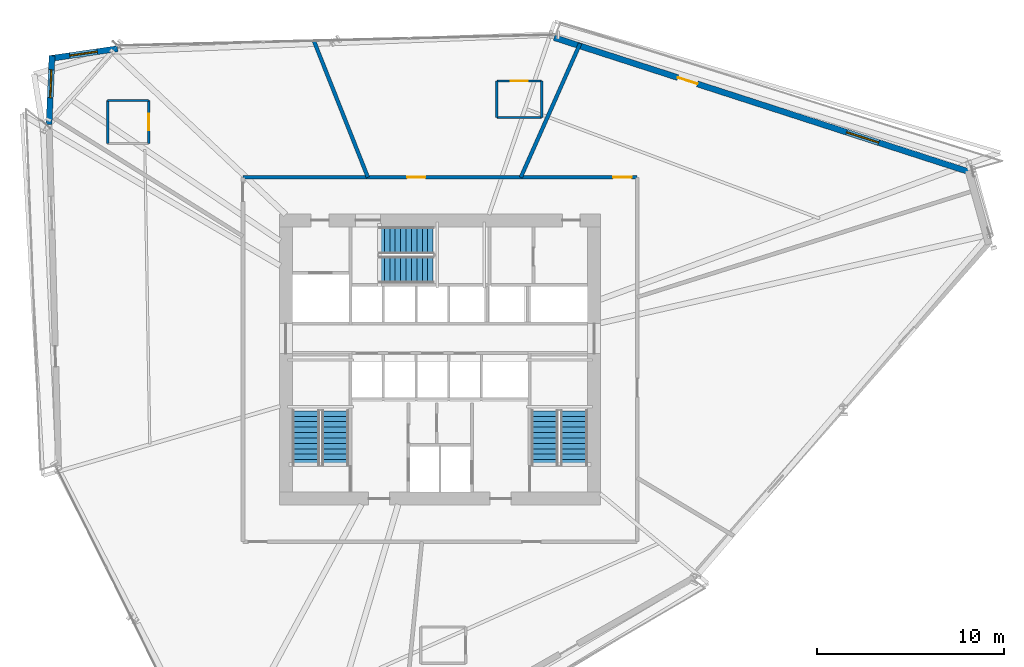
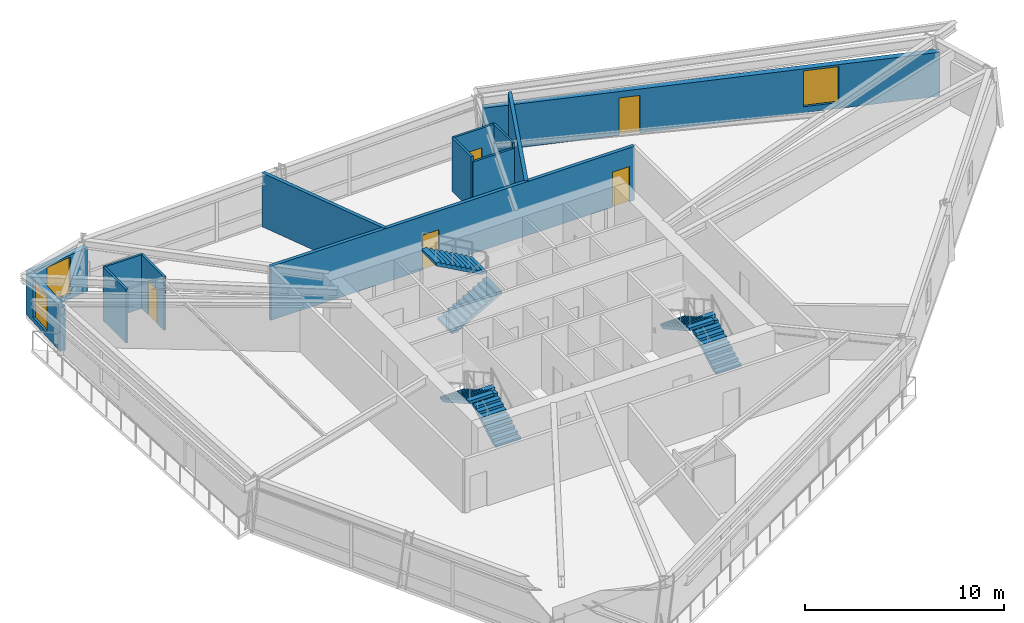
# One storey, part 16 of 20: 13 walls, 6 stair flights, 5 doors, 3 windows, 8 openings, 3 elements without a shape of their own.
"""IFC4 building model written with IfcOpenShell, lengths in metres."""

from ifc_helpers import new_model, si_unit, direction, frame, frame_2d, origin, place, context, subcontext, project, spatial, polyline, rectangle, outline, extrude, source, transform, mapped, material, layer, layer_set, type_object, type_shapes, element, fill, aggregate, save


model = new_model("IFC4")

# Units and contexts
model_context = context("Model", 3, precision=1e-05, world=origin(), true_north=direction((0.0, 1.0)))
body_context = subcontext(model_context, "Body", "Model", "MODEL_VIEW")
ifc_project = project(units=[si_unit("LENGTHUNIT", "METRE"), si_unit("AREAUNIT", "SQUARE_METRE"), si_unit("VOLUMEUNIT", "CUBIC_METRE"), si_unit("PLANEANGLEUNIT", "RADIAN"), si_unit("MASSUNIT", "GRAM", prefix="KILO")], contexts=[model_context])

# Site, building, storey
site_placement = place(None, origin())
site = spatial("IfcSite", under=ifc_project, at=site_placement, CompositionType="ELEMENT")
building_placement = place(site_placement, origin())
building = spatial("IfcBuilding", under=site, at=building_placement, Name="Olszyna Solenne Hotel", CompositionType="ELEMENT")
storey_placement = place(building_placement, frame((0.0, 0.0, 98.60009765625)))
storey = spatial("IfcBuildingStorey", under=building, at=storey_placement, Name="L25", CompositionType="ELEMENT", Elevation=98.60009765625)

# Wall, opening, window
ifc_material_1 = material(Name="Precast concrete C45/55", Category="concrete")
ifc_layer_1 = layer(ifc_material_1, 0.320068359375, Name="Precast concrete C45/55")
ifc_layer_set_1 = layer_set([ifc_layer_1], Name="Precast concrete C45/55")
wall_type_1 = type_object("IfcWallType", Name="WL-EX320", PredefinedType="SOLIDWALL", material=ifc_layer_set_1)
wall_1_placement = place(storey_placement, frame((17.07421875, 39.17626953125, 0.0), z_axis=(0.0, 0.0, 1.0), x_axis=(0.043135301437, 0.999069239728, 0.0)))
wall_1 = element("IfcWall", 1, at=wall_1_placement, inside=storey, type_object=wall_type_1, Name="Exterior terracotta-precast frame wall WL-EX320 EW-L25-05", PredefinedType="SOLIDWALL", context=body_context, shape_type="SweptSolid", body=[
    extrude(rectangle(XDim=3.6845703125, YDim=0.320068359375, at=frame_2d((1.84228515625, 0.0))), origin(), (0.0, 0.0, 1.0), 2.69189453125),
])
opening_1_placement = place(wall_1_placement, frame((1.43505859375, 0.0, 0.27197265625)))
opening_1 = element("IfcOpeningElement", 2, at=opening_1_placement, cuts=wall_1, Name="Opening WN-L25-135", PredefinedType="OPENING", context=body_context, shape_type="SweptSolid", body=[
    extrude(rectangle(XDim=1.5, YDim=2.300048828125, at=frame_2d((0.75, 1.14990234375))), frame((0.0, 0.169921875, 0.0), z_axis=(0.0, -1.0, 0.0), x_axis=(1.0, 0.0, 0.0)), (0.0, 0.0, 1.0), 0.340087890625),
])
ifc_material_2 = material(Name="Low-E triple glazing", Category="glass")
window_type_1 = type_object("IfcWindowType", Name="WN-CH1", PartitioningType="SINGLE_PANEL", PredefinedType="WINDOW", material=ifc_material_2)
shared_shape_1 = source(origin(), body_context, "Body", "SweptSolid", [
    extrude(rectangle(XDim=1.5, YDim=2.300048828125, at=frame_2d((0.75, 1.14990234375))), frame((0.0, 0.030029296875, 0.0), z_axis=(0.0, -1.0, 0.0), x_axis=(1.0, 0.0, 0.0)), (0.0, 0.0, 1.0), 0.06005859375),
])
type_shapes(window_type_1, [shared_shape_1])
window_1_placement = place(opening_1_placement, origin())
window_1 = element("IfcWindow", 3, at=window_1_placement, inside=storey, type_object=window_type_1, Name="Exterior facade window WN-CH1 WN-L25-135", OverallHeight=2.300048828125, OverallWidth=1.5, PartitioningType="SINGLE_PANEL", PredefinedType="WINDOW", context=body_context, shape_type="MappedRepresentation", body=[
    mapped(shared_shape_1, transform((0.0, 0.0, 0.0), x_axis=(1.0, 0.0, 0.0), y_axis=(0.0, 1.0, 0.0), z_axis=(0.0, 0.0, 1.0), scale=1.0)),
])
fill(opening_1, window_1)

wall_2_placement = place(storey_placement, frame((17.09619140625, 42.705810546875, 0.0), z_axis=(0.0, 0.0, 1.0), x_axis=(0.989589871041, 0.143916250412, 0.0)))
wall_2 = element("IfcWall", 4, at=wall_2_placement, inside=storey, type_object=wall_type_1, Name="Exterior terracotta-precast frame wall WL-EX320 EW-L25-06", PredefinedType="SOLIDWALL", context=body_context, shape_type="SweptSolid", body=[
    extrude(rectangle(XDim=3.6845703125, YDim=0.320068359375, at=frame_2d((1.84228515625, 0.0))), origin(), (0.0, 0.0, 1.0), 2.69189453125),
])
opening_2_placement = place(wall_2_placement, frame((1.092041015625, 0.0, 0.27197265625)))
opening_2 = element("IfcOpeningElement", 5, at=opening_2_placement, cuts=wall_2, Name="Opening WN-L25-136", PredefinedType="OPENING", context=body_context, shape_type="SweptSolid", body=[
    extrude(rectangle(XDim=1.5, YDim=2.300048828125, at=frame_2d((0.75, 1.14990234375))), frame((0.0, 0.169921875, 0.0), z_axis=(0.0, -1.0, 0.0), x_axis=(1.0, 0.0, 0.0)), (0.0, 0.0, 1.0), 0.340087890625),
])
window_2_placement = place(opening_2_placement, origin())
window_2 = element("IfcWindow", 6, at=window_2_placement, inside=storey, type_object=window_type_1, Name="Exterior facade window WN-CH1 WN-L25-136", OverallHeight=2.300048828125, OverallWidth=1.5, PartitioningType="SINGLE_PANEL", PredefinedType="WINDOW", context=body_context, shape_type="MappedRepresentation", body=[
    mapped(shared_shape_1, transform((0.0, 0.0, 0.0), x_axis=(1.0, 0.0, 0.0), y_axis=(0.0, 1.0, 0.0), z_axis=(0.0, 0.0, 1.0), scale=1.0)),
])
fill(opening_2, window_2)

# Wall, openings, door, window
wall_3_placement = place(storey_placement, frame((44.11083984375, 43.82861328125, 0.0), z_axis=(0.0, 0.0, 1.0), x_axis=(0.951457074242, -0.307781474224, 0.0)))
wall_3 = element("IfcWall", 7, at=wall_3_placement, inside=storey, type_object=wall_type_1, Name="Exterior terracotta-precast frame wall WL-EX320 EW-L25-08", PredefinedType="SOLIDWALL", context=body_context, shape_type="SweptSolid", body=[
    extrude(rectangle(XDim=23.44775390625, YDim=0.320068359375, at=frame_2d((11.723876953125, 0.0))), origin(), (0.0, 0.0, 1.0), 2.69189453125),
])
opening_3_placement = place(wall_3_placement, frame((6.952880859375, 0.0, 0.0)))
opening_3 = element("IfcOpeningElement", 8, at=opening_3_placement, cuts=wall_3, Name="Opening LDG-L25-1", PredefinedType="OPENING", context=body_context, shape_type="SweptSolid", body=[
    extrude(rectangle(XDim=1.10009765625, YDim=2.300048828125, at=frame_2d((0.550048828125, 1.14990234375))), frame((0.0, 0.169921875, 0.0), z_axis=(0.0, -1.0, 0.0), x_axis=(1.0, 0.0, 0.0)), (0.0, 0.0, 1.0), 0.340087890625),
])
opening_4_placement = place(wall_3_placement, frame((16.450927734375, 0.0, 0.3720703125)))
opening_4 = element("IfcOpeningElement", 9, at=opening_4_placement, cuts=wall_3, Name="Opening WN-L25-137", PredefinedType="OPENING", context=body_context, shape_type="SweptSolid", body=[
    extrude(rectangle(XDim=1.800048828125, YDim=2.199951171875, at=frame_2d((0.89990234375, 1.10009765625))), frame((0.0, 0.169921875, 0.0), z_axis=(0.0, -1.0, 0.0), x_axis=(1.0, 0.0, 0.0)), (0.0, 0.0, 1.0), 0.340087890625),
])
ifc_material_3 = material(Name="Anodised bronze aluminium", Category="aluminium")
door_type_1 = type_object("IfcDoorType", Name="DR-LG1", OperationType="NOTDEFINED", PredefinedType="DOOR", material=ifc_material_3)
shared_shape_2 = source(origin(), body_context, "Body", "SweptSolid", [
    extrude(rectangle(XDim=1.10009765625, YDim=2.300048828125, at=frame_2d((0.550048828125, 1.14990234375))), frame((0.0, 0.02490234375, 0.0), z_axis=(0.0, -1.0, 0.0), x_axis=(1.0, 0.0, 0.0)), (0.0, 0.0, 1.0), 0.050048828125),
])
type_shapes(door_type_1, [shared_shape_2])
door_1_placement = place(opening_3_placement, origin())
door_1 = element("IfcDoor", 10, at=door_1_placement, inside=storey, type_object=door_type_1, Name="Exterior loggia balcony door DR-LG1 LDG-L25-1", OperationType="SINGLE_SWING_LEFT", OverallHeight=2.300048828125, OverallWidth=1.10009765625, PredefinedType="DOOR", context=body_context, shape_type="MappedRepresentation", body=[
    mapped(shared_shape_2, transform((0.0, 0.0, 0.0), x_axis=(1.0, 0.0, 0.0), y_axis=(0.0, 1.0, 0.0), z_axis=(0.0, 0.0, 1.0), scale=1.0)),
])
fill(opening_3, door_1)
window_type_2 = type_object("IfcWindowType", Name="WN-HT1", PartitioningType="SINGLE_PANEL", PredefinedType="WINDOW", material=ifc_material_2)
shared_shape_3 = source(origin(), body_context, "Body", "SweptSolid", [
    extrude(rectangle(XDim=1.800048828125, YDim=2.199951171875, at=frame_2d((0.89990234375, 1.10009765625))), frame((0.0, 0.030029296875, 0.0), z_axis=(0.0, -1.0, 0.0), x_axis=(1.0, 0.0, 0.0)), (0.0, 0.0, 1.0), 0.06005859375),
])
type_shapes(window_type_2, [shared_shape_3])
window_3_placement = place(opening_4_placement, origin())
window_3 = element("IfcWindow", 11, at=window_3_placement, inside=storey, type_object=window_type_2, Name="Loggia room window WN-HT1 WN-L25-137", OverallHeight=2.199951171875, OverallWidth=1.800048828125, PartitioningType="SINGLE_PANEL", PredefinedType="WINDOW", context=body_context, shape_type="MappedRepresentation", body=[
    mapped(shared_shape_3, transform((0.0, 0.0, 0.0), x_axis=(1.0, 0.0, 0.0), y_axis=(0.0, 1.0, 0.0), z_axis=(0.0, 0.0, 1.0), scale=1.0)),
])
fill(opening_4, window_3)

# Wall
ifc_material_4 = material(Name="Acoustic gypsum partition", Category="gypsum")
ifc_layer_2 = layer(ifc_material_4, 0.125, Name="Acoustic gypsum partition")
ifc_layer_set_2 = layer_set([ifc_layer_2], Name="Acoustic gypsum partition")
wall_type_2 = type_object("IfcWallType", Name="WL-PT125", PredefinedType="PARTITIONING", material=ifc_layer_set_2)
wall_4_placement = place(storey_placement, frame((43.43798828125, 39.556884765625, 0.0), z_axis=(0.0, 0.0, 1.0), x_axis=(0.0, 1.0, 0.0)))
element("IfcWall", 12, at=wall_4_placement, inside=storey, type_object=wall_type_2, Name="Interior acoustic partition WL-PT125 PW-L25-1455", PredefinedType="PARTITIONING", context=body_context, shape_type="SweptSolid", body=[
    extrude(rectangle(XDim=1.9501953125, YDim=0.125, at=frame_2d((0.97509765625, 0.0))), origin(), (0.0, 0.0, 1.0), 3.2998046875),
])

# Wall, opening, door
wall_5_placement = place(storey_placement, frame((43.43798828125, 41.507080078125, 0.0), z_axis=(0.0, 0.0, 1.0), x_axis=(-1.0, 0.0, 0.0)))
wall_5 = element("IfcWall", 13, at=wall_5_placement, inside=storey, type_object=wall_type_2, Name="Interior acoustic partition WL-PT125 PW-L25-1456", PredefinedType="PARTITIONING", context=body_context, shape_type="SweptSolid", body=[
    extrude(rectangle(XDim=2.39990234375, YDim=0.125, at=frame_2d((1.199951171875, 0.0))), origin(), (0.0, 0.0, 1.0), 3.2998046875),
])
opening_5_placement = place(wall_5_placement, frame((0.75, 0.0, 0.0)))
opening_5 = element("IfcOpeningElement", 14, at=opening_5_placement, cuts=wall_5, Name="Opening DR-L25-0343", PredefinedType="OPENING", context=body_context, shape_type="SweptSolid", body=[
    extrude(rectangle(XDim=0.89990234375, YDim=2.10009765625, at=frame_2d((0.449951171875, 1.050048828125))), frame((0.0, 0.072509765625, 0.0), z_axis=(0.0, -1.0, 0.0), x_axis=(1.0, 0.0, 0.0)), (0.0, 0.0, 1.0), 0.14501953125),
])
ifc_material_5 = material(Name="Timber hardwood", Category="wood")
door_type_2 = type_object("IfcDoorType", Name="DR-WC1", OperationType="NOTDEFINED", PredefinedType="DOOR", material=ifc_material_5)
shared_shape_4 = source(origin(), body_context, "Body", "SweptSolid", [
    extrude(rectangle(XDim=0.89990234375, YDim=2.10009765625, at=frame_2d((0.449951171875, 1.050048828125))), frame((0.0, 0.02490234375, 0.0), z_axis=(0.0, -1.0, 0.0), x_axis=(1.0, 0.0, 0.0)), (0.0, 0.0, 1.0), 0.050048828125),
])
type_shapes(door_type_2, [shared_shape_4])
door_2_placement = place(opening_5_placement, origin())
door_2 = element("IfcDoor", 15, at=door_2_placement, inside=storey, type_object=door_type_2, Name="En-Suite Bathroom Door DR-L25-0343", OperationType="SINGLE_SWING_LEFT", OverallHeight=2.10009765625, OverallWidth=0.89990234375, PredefinedType="DOOR", context=body_context, shape_type="MappedRepresentation", body=[
    mapped(shared_shape_4, transform((0.0, 0.0, 0.0), x_axis=(1.0, 0.0, 0.0), y_axis=(0.0, 1.0, 0.0), z_axis=(0.0, 0.0, 1.0), scale=1.0)),
])
fill(opening_5, door_2)

# Walls
wall_6_placement = place(storey_placement, frame((41.0380859375, 41.507080078125, 0.0), z_axis=(0.0, 0.0, 1.0), x_axis=(0.0, -1.0, 0.0)))
element("IfcWall", 16, at=wall_6_placement, inside=storey, type_object=wall_type_2, Name="Interior acoustic partition WL-PT125 PW-L25-1457", PredefinedType="PARTITIONING", context=body_context, shape_type="SweptSolid", body=[
    extrude(rectangle(XDim=1.9501953125, YDim=0.125, at=frame_2d((0.97509765625, 0.0))), origin(), (0.0, 0.0, 1.0), 3.2998046875),
])
wall_7_placement = place(storey_placement, frame((41.0380859375, 39.556884765625, 0.0), z_axis=(0.0, 0.0, 1.0), x_axis=(1.0, 0.0, 0.0)))
element("IfcWall", 17, at=wall_7_placement, inside=storey, type_object=wall_type_2, Name="Interior acoustic partition WL-PT125 PW-L25-1458", PredefinedType="PARTITIONING", context=body_context, shape_type="SweptSolid", body=[
    extrude(rectangle(XDim=2.39990234375, YDim=0.125, at=frame_2d((1.199951171875, 0.0))), origin(), (0.0, 0.0, 1.0), 2.98486328125),
])

# Wall, opening, door
wall_8_placement = place(storey_placement, frame((22.408935546875, 38.1650390625, 0.0), z_axis=(0.0, 0.0, 1.0), x_axis=(0.0, 1.0, 0.0)))
wall_8 = element("IfcWall", 18, at=wall_8_placement, inside=storey, type_object=wall_type_2, Name="Interior acoustic partition WL-PT125 PW-L25-1459", PredefinedType="PARTITIONING", context=body_context, shape_type="SweptSolid", body=[
    extrude(rectangle(XDim=2.300048828125, YDim=0.125, at=frame_2d((1.14990234375, 0.0))), origin(), (0.0, 0.0, 1.0), 3.2998046875),
])
opening_6_placement = place(wall_8_placement, frame((0.699951171875, 0.0, 0.0)))
opening_6 = element("IfcOpeningElement", 19, at=opening_6_placement, cuts=wall_8, Name="Opening DR-L25-0344", PredefinedType="OPENING", context=body_context, shape_type="SweptSolid", body=[
    extrude(rectangle(XDim=0.89990234375, YDim=2.10009765625, at=frame_2d((0.449951171875, 1.050048828125))), frame((0.0, 0.072509765625, 0.0), z_axis=(0.0, -1.0, 0.0), x_axis=(1.0, 0.0, 0.0)), (0.0, 0.0, 1.0), 0.14501953125),
])
door_3_placement = place(opening_6_placement, origin())
door_3 = element("IfcDoor", 20, at=door_3_placement, inside=storey, type_object=door_type_2, Name="En-Suite Bathroom Door DR-L25-0344", OperationType="SINGLE_SWING_RIGHT", OverallHeight=2.10009765625, OverallWidth=0.89990234375, PredefinedType="DOOR", context=body_context, shape_type="MappedRepresentation", body=[
    mapped(shared_shape_4, transform((0.0, 0.0, 0.0), x_axis=(1.0, 0.0, 0.0), y_axis=(0.0, 1.0, 0.0), z_axis=(0.0, 0.0, 1.0), scale=1.0)),
])
fill(opening_6, door_3)

# Walls
wall_9_placement = place(storey_placement, frame((22.408935546875, 40.465087890625, 0.0), z_axis=(0.0, 0.0, 1.0), x_axis=(-1.0, 0.0, 0.0)))
element("IfcWall", 21, at=wall_9_placement, inside=storey, type_object=wall_type_2, Name="Interior acoustic partition WL-PT125 PW-L25-1460", PredefinedType="PARTITIONING", context=body_context, shape_type="SweptSolid", body=[
    extrude(rectangle(XDim=2.199951171875, YDim=0.125, at=frame_2d((1.10009765625, 0.0))), origin(), (0.0, 0.0, 1.0), 3.2998046875),
])
wall_10_placement = place(storey_placement, frame((20.208984375, 40.465087890625, 0.0), z_axis=(0.0, 0.0, 1.0), x_axis=(0.0, -1.0, 0.0)))
element("IfcWall", 22, at=wall_10_placement, inside=storey, type_object=wall_type_2, Name="Interior acoustic partition WL-PT125 PW-L25-1461", PredefinedType="PARTITIONING", context=body_context, shape_type="SweptSolid", body=[
    extrude(rectangle(XDim=2.300048828125, YDim=0.125, at=frame_2d((1.14990234375, 0.0))), origin(), (0.0, 0.0, 1.0), 3.2998046875),
])
ifc_layer_3 = layer(ifc_material_4, 0.199951171875, Name="Acoustic gypsum partition")
ifc_layer_set_3 = layer_set([ifc_layer_3], Name="Acoustic gypsum partition")
wall_type_3 = type_object("IfcWallType", Name="WL-PT200", PredefinedType="PARTITIONING", material=ifc_layer_set_3)
wall_11_placement = place(storey_placement, frame((42.32275390625, 36.35009765625, 0.0), z_axis=(0.0, 0.0, 1.0), x_axis=(0.40528287346, 0.914191332534, 0.0)))
element("IfcWall", 23, at=wall_11_placement, inside=storey, type_object=wall_type_3, Name="Interior acoustic partition WL-PT200 PW-L25-1449", PredefinedType="PARTITIONING", context=body_context, shape_type="SweptSolid", body=[
    extrude(rectangle(XDim=7.83837890625, YDim=0.199951171875, at=frame_2d((3.919189453125, 0.0))), origin(), (0.0, 0.0, 1.0), 3.2998046875),
])
wall_12_placement = place(storey_placement, frame((34.140625, 36.35009765625, 0.0), z_axis=(0.0, 0.0, 1.0), x_axis=(-0.368043395043, 0.929808614375, 0.0)))
element("IfcWall", 24, at=wall_12_placement, inside=storey, type_object=wall_type_3, Name="Interior acoustic partition WL-PT200 PW-L25-1450", PredefinedType="PARTITIONING", context=body_context, shape_type="SweptSolid", body=[
    extrude(rectangle(XDim=7.827392578125, YDim=0.199951171875, at=frame_2d((3.91357421875, 0.0))), origin(), (0.0, 0.0, 1.0), 3.2998046875),
])

# Wall, openings, doors
wall_13_placement = place(storey_placement, frame((27.449951171875, 36.35009765625, 0.0), z_axis=(0.0, 0.0, 1.0), x_axis=(1.0, 0.0, 0.0)))
wall_13 = element("IfcWall", 25, at=wall_13_placement, inside=storey, type_object=wall_type_3, Name="Interior acoustic partition WL-PT200 PW-L25-1465", PredefinedType="PARTITIONING", context=body_context, shape_type="SweptSolid", body=[
    extrude(rectangle(XDim=21.10009765625, YDim=0.199951171875, at=frame_2d((10.550048828125, 0.0))), origin(), (0.0, 0.0, 1.0), 3.2998046875),
])
opening_7_placement = place(wall_13_placement, frame((19.820068359375, 0.0, 0.0)))
opening_7 = element("IfcOpeningElement", 26, at=opening_7_placement, cuts=wall_13, Name="Opening DR-L25-0348", PredefinedType="OPENING", context=body_context, shape_type="SweptSolid", body=[
    extrude(rectangle(XDim=0.97998046875, YDim=2.14990234375, at=frame_2d((0.489990234375, 1.074951171875))), frame((0.0, 0.10986328125, 0.0), z_axis=(0.0, -1.0, 0.0), x_axis=(1.0, 0.0, 0.0)), (0.0, 0.0, 1.0), 0.219970703125),
])
opening_8_placement = place(wall_13_placement, frame((8.781982421875, 0.0, 0.0)))
opening_8 = element("IfcOpeningElement", 27, at=opening_8_placement, cuts=wall_13, Name="Opening DR-L25-0349", PredefinedType="OPENING", context=body_context, shape_type="SweptSolid", body=[
    extrude(rectangle(XDim=0.97998046875, YDim=2.14990234375, at=frame_2d((0.489990234375, 1.074951171875))), frame((0.0, 0.10986328125, 0.0), z_axis=(0.0, -1.0, 0.0), x_axis=(1.0, 0.0, 0.0)), (0.0, 0.0, 1.0), 0.219970703125),
])
door_type_3 = type_object("IfcDoorType", Name="DR-RM1", OperationType="NOTDEFINED", PredefinedType="DOOR", material=ifc_material_5)
shared_shape_5 = source(origin(), body_context, "Body", "SweptSolid", [
    extrude(rectangle(XDim=0.97998046875, YDim=2.14990234375, at=frame_2d((0.489990234375, 1.074951171875))), frame((0.0, 0.02490234375, 0.0), z_axis=(0.0, -1.0, 0.0), x_axis=(1.0, 0.0, 0.0)), (0.0, 0.0, 1.0), 0.050048828125),
])
type_shapes(door_type_3, [shared_shape_5])
door_4_placement = place(opening_7_placement, origin())
door_4 = element("IfcDoor", 28, at=door_4_placement, inside=storey, type_object=door_type_3, Name="Breakfast Tasting Salon Entrance Door DR-L25-0348", OperationType="SINGLE_SWING_LEFT", OverallHeight=2.14990234375, OverallWidth=0.97998046875, PredefinedType="DOOR", context=body_context, shape_type="MappedRepresentation", body=[
    mapped(shared_shape_5, transform((0.0, 0.0, 0.0), x_axis=(1.0, 0.0, 0.0), y_axis=(0.0, 1.0, 0.0), z_axis=(0.0, 0.0, 1.0), scale=1.0)),
])
fill(opening_7, door_4)
door_5_placement = place(opening_8_placement, origin())
door_5 = element("IfcDoor", 29, at=door_5_placement, inside=storey, type_object=door_type_3, Name="Deluxe Hotel Guestroom Entrance Door DR-L25-0349", OperationType="SINGLE_SWING_RIGHT", OverallHeight=2.14990234375, OverallWidth=0.97998046875, PredefinedType="DOOR", context=body_context, shape_type="MappedRepresentation", body=[
    mapped(shared_shape_5, transform((0.0, 0.0, 0.0), x_axis=(1.0, 0.0, 0.0), y_axis=(0.0, 1.0, 0.0), z_axis=(0.0, 0.0, 1.0), scale=1.0)),
])
fill(opening_8, door_5)

# Stair, stair flights
ifc_material_6 = material(Name="Concrete C40/50", Category="concrete")
stair_type = type_object("IfcStairType", Name="STR-C1", PredefinedType="TWO_QUARTER_WINDING_STAIR", material=ifc_material_6)
stair_1_placement = place(storey_placement, origin())
stair_1 = element("IfcStair", 30, at=stair_1_placement, inside=storey, type_object=stair_type, Name="L25 ST1", PredefinedType="TWO_QUARTER_WINDING_STAIR")
stair_flight_type = type_object("IfcStairFlightType", Name="FLT-C1", PredefinedType="STRAIGHT", material=ifc_material_6)
stair_flight_1_placement = place(storey_placement, frame((32.39501953125, 20.949951171875, 0.0), z_axis=(0.0, 0.0, 1.0), x_axis=(0.0, 1.0, 0.0)))
stair_flight_1 = element("IfcStairFlight", 31, at=stair_flight_1_placement, type_object=stair_flight_type, Name="ST1 flight 1", NumberOfRisers=11, NumberOfTreads=10, PredefinedType="STRAIGHT", RiserHeight=0.161363636, TreadLength=0.29, context=body_context, shape_type="SweptSolid", body=[
    extrude(outline(polyline([(0.0, 0.0), (0.0, 0.161376953125), (0.2900390625, 0.161376953125), (0.2900390625, 0.32275390625), (0.580078125, 0.32275390625), (0.580078125, 0.484130859375), (0.8701171875, 0.484130859375), (0.8701171875, 0.6455078125), (1.159912109375, 0.6455078125), (1.159912109375, 0.806884765625), (1.449951171875, 0.806884765625), (1.449951171875, 0.96826171875), (1.739990234375, 0.96826171875), (1.739990234375, 1.129638671875), (2.030029296875, 1.129638671875), (2.030029296875, 1.291015625), (2.320068359375, 1.291015625), (2.320068359375, 1.452392578125), (2.610107421875, 1.452392578125), (2.610107421875, 1.613525390625), (2.89990234375, 1.613525390625), (2.89990234375, 1.77490234375), (2.89990234375, 1.442138671875), (0.308349609375, 0.0), (0.0, 0.0)])), frame((0.0, 0.72509765625, 0.0), z_axis=(0.0, -1.0, 0.0), x_axis=(1.0, 0.0, 0.0)), (0.0, 0.0, 1.0), 1.449951171875),
])
stair_flight_2_placement = place(storey_placement, frame((30.824951171875, 23.85009765625, 1.77490234375), z_axis=(0.0, 0.0, 1.0), x_axis=(0.0, -1.0, 0.0)))
stair_flight_2 = element("IfcStairFlight", 32, at=stair_flight_2_placement, type_object=stair_flight_type, Name="ST1 flight 2", NumberOfRisers=11, NumberOfTreads=10, PredefinedType="STRAIGHT", RiserHeight=0.161363636, TreadLength=0.29, context=body_context, shape_type="SweptSolid", body=[
    extrude(outline(polyline([(0.0, 0.0), (0.0, 0.161376953125), (0.2900390625, 0.161376953125), (0.2900390625, 0.32275390625), (0.580078125, 0.32275390625), (0.580078125, 0.484130859375), (0.8701171875, 0.484130859375), (0.8701171875, 0.6455078125), (1.159912109375, 0.6455078125), (1.159912109375, 0.806884765625), (1.449951171875, 0.806884765625), (1.449951171875, 0.96826171875), (1.739990234375, 0.96826171875), (1.739990234375, 1.129638671875), (2.030029296875, 1.129638671875), (2.030029296875, 1.291015625), (2.320068359375, 1.291015625), (2.320068359375, 1.452392578125), (2.610107421875, 1.452392578125), (2.610107421875, 1.613525390625), (2.89990234375, 1.613525390625), (2.89990234375, 1.77490234375), (2.89990234375, 1.442138671875), (0.308349609375, 0.0), (0.0, 0.0)])), frame((0.0, 0.72509765625, 0.0), z_axis=(0.0, -1.0, 0.0), x_axis=(1.0, 0.0, 0.0)), (0.0, 0.0, 1.0), 1.449951171875),
])
aggregate(stair_1, [stair_flight_1, stair_flight_2])

stair_2_placement = place(storey_placement, origin())
stair_2 = element("IfcStair", 33, at=stair_2_placement, inside=storey, type_object=stair_type, Name="L25 ST2", PredefinedType="TWO_QUARTER_WINDING_STAIR")
stair_flight_3_placement = place(storey_placement, frame((45.175048828125, 20.949951171875, 0.0), z_axis=(0.0, 0.0, 1.0), x_axis=(0.0, 1.0, 0.0)))
stair_flight_3 = element("IfcStairFlight", 34, at=stair_flight_3_placement, type_object=stair_flight_type, Name="ST2 flight 1", NumberOfRisers=11, NumberOfTreads=10, PredefinedType="STRAIGHT", RiserHeight=0.161363636, TreadLength=0.29, context=body_context, shape_type="SweptSolid", body=[
    extrude(outline(polyline([(0.0, 0.0), (0.0, 0.161376953125), (0.2900390625, 0.161376953125), (0.2900390625, 0.32275390625), (0.580078125, 0.32275390625), (0.580078125, 0.484130859375), (0.8701171875, 0.484130859375), (0.8701171875, 0.6455078125), (1.159912109375, 0.6455078125), (1.159912109375, 0.806884765625), (1.449951171875, 0.806884765625), (1.449951171875, 0.96826171875), (1.739990234375, 0.96826171875), (1.739990234375, 1.129638671875), (2.030029296875, 1.129638671875), (2.030029296875, 1.291015625), (2.320068359375, 1.291015625), (2.320068359375, 1.452392578125), (2.610107421875, 1.452392578125), (2.610107421875, 1.613525390625), (2.89990234375, 1.613525390625), (2.89990234375, 1.77490234375), (2.89990234375, 1.442138671875), (0.308349609375, 0.0), (0.0, 0.0)])), frame((0.0, 0.72509765625, 0.0), z_axis=(0.0, -1.0, 0.0), x_axis=(1.0, 0.0, 0.0)), (0.0, 0.0, 1.0), 1.449951171875),
])
stair_flight_4_placement = place(storey_placement, frame((43.60498046875, 23.85009765625, 1.77490234375), z_axis=(0.0, 0.0, 1.0), x_axis=(0.0, -1.0, 0.0)))
stair_flight_4 = element("IfcStairFlight", 35, at=stair_flight_4_placement, type_object=stair_flight_type, Name="ST2 flight 2", NumberOfRisers=11, NumberOfTreads=10, PredefinedType="STRAIGHT", RiserHeight=0.161363636, TreadLength=0.29, context=body_context, shape_type="SweptSolid", body=[
    extrude(outline(polyline([(0.0, 0.0), (0.0, 0.161376953125), (0.2900390625, 0.161376953125), (0.2900390625, 0.32275390625), (0.580078125, 0.32275390625), (0.580078125, 0.484130859375), (0.8701171875, 0.484130859375), (0.8701171875, 0.6455078125), (1.159912109375, 0.6455078125), (1.159912109375, 0.806884765625), (1.449951171875, 0.806884765625), (1.449951171875, 0.96826171875), (1.739990234375, 0.96826171875), (1.739990234375, 1.129638671875), (2.030029296875, 1.129638671875), (2.030029296875, 1.291015625), (2.320068359375, 1.291015625), (2.320068359375, 1.452392578125), (2.610107421875, 1.452392578125), (2.610107421875, 1.613525390625), (2.89990234375, 1.613525390625), (2.89990234375, 1.77490234375), (2.89990234375, 1.442138671875), (0.308349609375, 0.0), (0.0, 0.0)])), frame((0.0, 0.72509765625, 0.0), z_axis=(0.0, -1.0, 0.0), x_axis=(1.0, 0.0, 0.0)), (0.0, 0.0, 1.0), 1.449951171875),
])
aggregate(stair_2, [stair_flight_3, stair_flight_4])

stair_3_placement = place(storey_placement, origin())
stair_3 = element("IfcStair", 36, at=stair_3_placement, inside=storey, type_object=stair_type, Name="L25 ST3", PredefinedType="TWO_QUARTER_WINDING_STAIR")
stair_flight_5_placement = place(storey_placement, frame((34.72998046875, 31.405029296875, 0.0), z_axis=(0.0, 0.0, 1.0), x_axis=(1.0, 0.0, 0.0)))
stair_flight_5 = element("IfcStairFlight", 37, at=stair_flight_5_placement, type_object=stair_flight_type, Name="ST3 flight 1", NumberOfRisers=11, NumberOfTreads=10, PredefinedType="STRAIGHT", RiserHeight=0.161363636, TreadLength=0.29, context=body_context, shape_type="SweptSolid", body=[
    extrude(outline(polyline([(0.0, 0.0), (0.0, 0.161376953125), (0.2900390625, 0.161376953125), (0.2900390625, 0.32275390625), (0.580078125, 0.32275390625), (0.580078125, 0.484130859375), (0.8701171875, 0.484130859375), (0.8701171875, 0.6455078125), (1.159912109375, 0.6455078125), (1.159912109375, 0.806884765625), (1.449951171875, 0.806884765625), (1.449951171875, 0.96826171875), (1.739990234375, 0.96826171875), (1.739990234375, 1.129638671875), (2.030029296875, 1.129638671875), (2.030029296875, 1.291015625), (2.320068359375, 1.291015625), (2.320068359375, 1.452392578125), (2.610107421875, 1.452392578125), (2.610107421875, 1.613525390625), (2.89990234375, 1.613525390625), (2.89990234375, 1.77490234375), (2.89990234375, 1.442138671875), (0.308349609375, 0.0), (0.0, 0.0)])), frame((0.0, 0.72509765625, 0.0), z_axis=(0.0, -1.0, 0.0), x_axis=(1.0, 0.0, 0.0)), (0.0, 0.0, 1.0), 1.449951171875),
])
stair_flight_6_placement = place(storey_placement, frame((37.6298828125, 32.97509765625, 1.77490234375), z_axis=(0.0, 0.0, 1.0), x_axis=(-1.0, 0.0, 0.0)))
stair_flight_6 = element("IfcStairFlight", 38, at=stair_flight_6_placement, type_object=stair_flight_type, Name="ST3 flight 2", NumberOfRisers=11, NumberOfTreads=10, PredefinedType="STRAIGHT", RiserHeight=0.161363636, TreadLength=0.29, context=body_context, shape_type="SweptSolid", body=[
    extrude(outline(polyline([(0.0, 0.0), (0.0, 0.161376953125), (0.2900390625, 0.161376953125), (0.2900390625, 0.32275390625), (0.580078125, 0.32275390625), (0.580078125, 0.484130859375), (0.8701171875, 0.484130859375), (0.8701171875, 0.6455078125), (1.159912109375, 0.6455078125), (1.159912109375, 0.806884765625), (1.449951171875, 0.806884765625), (1.449951171875, 0.96826171875), (1.739990234375, 0.96826171875), (1.739990234375, 1.129638671875), (2.030029296875, 1.129638671875), (2.030029296875, 1.291015625), (2.320068359375, 1.291015625), (2.320068359375, 1.452392578125), (2.610107421875, 1.452392578125), (2.610107421875, 1.613525390625), (2.89990234375, 1.613525390625), (2.89990234375, 1.77490234375), (2.89990234375, 1.442138671875), (0.308349609375, 0.0), (0.0, 0.0)])), frame((0.0, 0.72509765625, 0.0), z_axis=(0.0, -1.0, 0.0), x_axis=(1.0, 0.0, 0.0)), (0.0, 0.0, 1.0), 1.449951171875),
])
aggregate(stair_3, [stair_flight_5, stair_flight_6])

save(model, "model.ifc")
